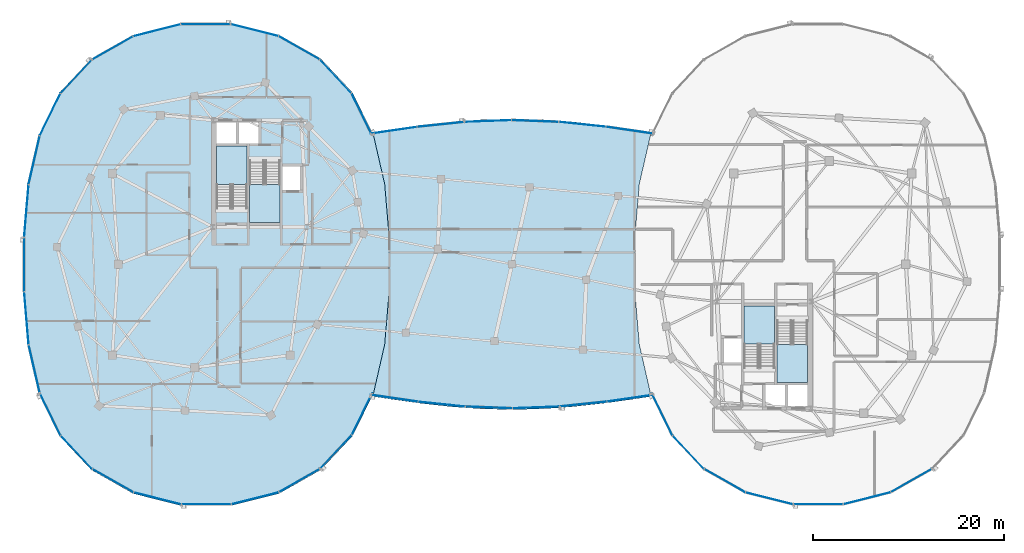
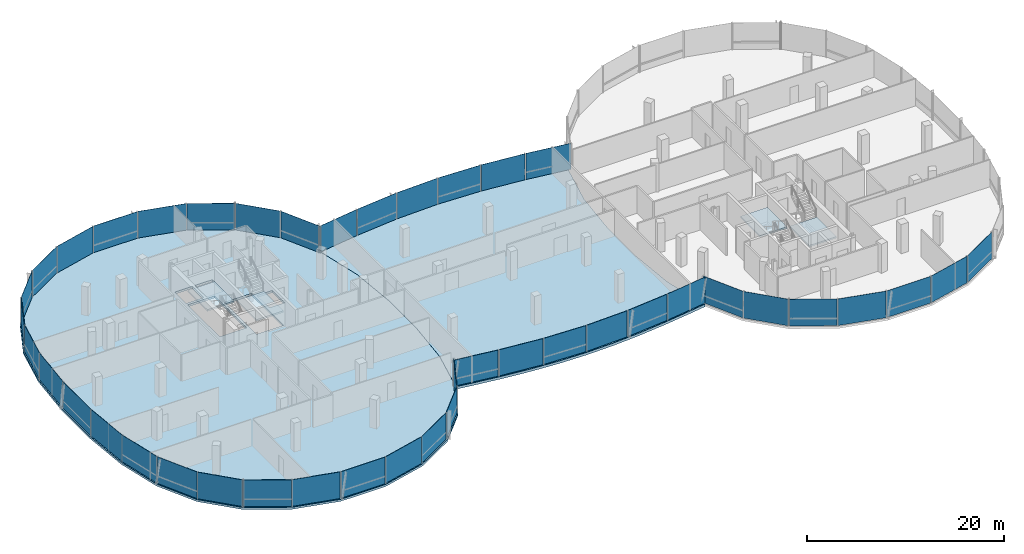
# One storey, part 12 of 25: 42 plates, 6 slabs, 11 elements without a shape of their own.
"""IFC4 building model written with IfcOpenShell, lengths in metres."""

from ifc_helpers import new_model, si_unit, direction, frame, origin, origin_2d, place, context, subcontext, project, spatial, polyline, rectangle, outline, extrude, material, layer, layer_set, type_object, element, aggregate, save


model = new_model("IFC4")

# Units and contexts
model_context = context("Model", 3, precision=1e-05, world=origin(), true_north=direction((0.0, 1.0)))
body_context = subcontext(model_context, "Body", "Model", "MODEL_VIEW")
ifc_project = project(units=[si_unit("LENGTHUNIT", "METRE"), si_unit("AREAUNIT", "SQUARE_METRE"), si_unit("VOLUMEUNIT", "CUBIC_METRE"), si_unit("PLANEANGLEUNIT", "RADIAN"), si_unit("MASSUNIT", "GRAM", prefix="KILO"), si_unit("THERMODYNAMICTEMPERATUREUNIT", "KELVIN"), si_unit("POWERUNIT", "WATT")], contexts=[model_context])

# Site, building, storey
site_placement = place(None, origin())
site = spatial("IfcSite", under=ifc_project, at=site_placement, CompositionType="ELEMENT")
building_placement = place(site_placement, origin())
building = spatial("IfcBuilding", under=site, at=building_placement, Name="Cundina Bronze Exchange", CompositionType="ELEMENT")
storey_placement = place(building_placement, frame((0.0, 0.0, 246.800048828125)))
storey = spatial("IfcBuildingStorey", under=building, at=storey_placement, Name="L65", CompositionType="ELEMENT", Elevation=246.800048828125)

# Curtain wall, plates
ifc_material_1 = material(Name="Anodised Bronze Aluminium 6063-T6", Category="aluminium")
curtain_wall_type = type_object("IfcCurtainWallType", Name="CWS-SKG-BRG", PredefinedType="NOTDEFINED", material=ifc_material_1)
curtain_wall_1_placement = place(storey_placement, origin())
curtain_wall_1 = element("IfcCurtainWall", 1, at=curtain_wall_1_placement, inside=storey, type_object=curtain_wall_type, Name="L65 CW-06 Curtain Wall Run CWR-L65-W1", PredefinedType="NOTDEFINED")
ifc_material_2 = material(Name="Heat-Strengthened Solar-Control Bronze Safety Glass 28mm", Category="glass")
ifc_layer_1 = layer(ifc_material_2, 0.028076171875, Name="Heat-Strengthened Solar-Control Bronze Safety Glass 28mm", Category="glass")
ifc_layer_set_1 = layer_set([ifc_layer_1], Name="Heat-Strengthened Solar-Control Bronze Safety Glass 28mm")
plate_type_1 = type_object("IfcPlateType", Name="PLT-GLZ-VIS28", PredefinedType="CURTAIN_PANEL", material=ifc_layer_set_1)
plate_1_placement = place(storey_placement, frame((-15.69873046875, 15.68017578125, 0.02001953125), z_axis=(0.0, 0.0, 1.0), x_axis=(-0.440503330345, 0.897750976582, 0.0)))
plate_1 = element("IfcPlate", 2, at=plate_1_placement, type_object=plate_type_1, Name="CW-06 Glazed Panel 1", PredefinedType="CURTAIN_PANEL", context=body_context, shape_type="SweptSolid", body=[
    extrude(rectangle(XDim=4.863525390625, YDim=0.028076171875, at=origin_2d()), origin(), (0.0, 0.0, 1.0), 3.300048828125),
])
plate_2_placement = place(storey_placement, frame((-18.431884765625, 19.64501953125, 0.02001953125), z_axis=(0.0, 0.0, 1.0), x_axis=(-0.684343512797, 0.72915976061, 0.0)))
plate_2 = element("IfcPlate", 3, at=plate_2_placement, type_object=plate_type_1, Name="CW-06 Glazed Panel 2", PredefinedType="CURTAIN_PANEL", context=body_context, shape_type="SweptSolid", body=[
    extrude(rectangle(XDim=4.773193359375, YDim=0.028076171875, at=origin_2d()), origin(), (0.0, 0.0, 1.0), 3.300048828125),
])
plate_3_placement = place(storey_placement, frame((-22.23828125, 22.6279296875, 0.02001953125), z_axis=(0.0, 0.0, 1.0), x_axis=(-0.869572506985, 0.493805280547, 0.0)))
plate_3 = element("IfcPlate", 4, at=plate_3_placement, type_object=plate_type_1, Name="CW-06 Glazed Panel 3", PredefinedType="CURTAIN_PANEL", context=body_context, shape_type="SweptSolid", body=[
    extrude(rectangle(XDim=4.907958984375, YDim=0.028076171875, at=origin_2d()), origin(), (0.0, 0.0, 1.0), 3.300048828125),
])
plate_4_placement = place(storey_placement, frame((-26.890625, 24.4814453125, 0.02001953125), z_axis=(0.0, 0.0, 1.0), x_axis=(-0.969731542251, 0.244173577528, 0.0)))
plate_4 = element("IfcPlate", 5, at=plate_4_placement, type_object=plate_type_1, Name="CW-06 Glazed Panel 4", PredefinedType="CURTAIN_PANEL", context=body_context, shape_type="SweptSolid", body=[
    extrude(rectangle(XDim=5.0908203125, YDim=0.028076171875, at=origin_2d()), origin(), (0.0, 0.0, 1.0), 3.300048828125),
])
plate_5_placement = place(storey_placement, frame((-37.109375, 24.4814453125, 0.02001953125), z_axis=(0.0, 0.0, 1.0), x_axis=(-0.969731542251, -0.244173577528, 0.0)))
plate_5 = element("IfcPlate", 6, at=plate_5_placement, type_object=plate_type_1, Name="CW-06 Glazed Panel 6", PredefinedType="CURTAIN_PANEL", context=body_context, shape_type="SweptSolid", body=[
    extrude(rectangle(XDim=5.0908203125, YDim=0.028076171875, at=origin_2d()), origin(), (0.0, 0.0, 1.0), 3.300048828125),
])
plate_6_placement = place(storey_placement, frame((-41.76171875, 22.6279296875, 0.02001953125), z_axis=(0.0, 0.0, 1.0), x_axis=(-0.869572506985, -0.493805280547, 0.0)))
plate_6 = element("IfcPlate", 7, at=plate_6_placement, type_object=plate_type_1, Name="CW-06 Glazed Panel 7", PredefinedType="CURTAIN_PANEL", context=body_context, shape_type="SweptSolid", body=[
    extrude(rectangle(XDim=4.907958984375, YDim=0.028076171875, at=origin_2d()), origin(), (0.0, 0.0, 1.0), 3.300048828125),
])

curtain_wall_2_placement = place(storey_placement, origin())
curtain_wall_2 = element("IfcCurtainWall", 8, at=curtain_wall_2_placement, inside=storey, type_object=curtain_wall_type, Name="L65 CW-06 Curtain Wall Run CWR-L65-W2", PredefinedType="NOTDEFINED")
plate_7_placement = place(storey_placement, frame((-45.568115234375, 19.64501953125, 0.02001953125), z_axis=(0.0, 0.0, 1.0), x_axis=(-0.684343512797, -0.72915976061, 0.0)))
plate_7 = element("IfcPlate", 9, at=plate_7_placement, type_object=plate_type_1, Name="CW-06 Glazed Panel 1", PredefinedType="CURTAIN_PANEL", context=body_context, shape_type="SweptSolid", body=[
    extrude(rectangle(XDim=4.773193359375, YDim=0.028076171875, at=origin_2d()), origin(), (0.0, 0.0, 1.0), 3.300048828125),
])
plate_8_placement = place(storey_placement, frame((-48.30126953125, 15.68017578125, 0.02001953125), z_axis=(0.0, 0.0, 1.0), x_axis=(-0.440503330345, -0.897750976582, 0.0)))
plate_8 = element("IfcPlate", 10, at=plate_8_placement, type_object=plate_type_1, Name="CW-06 Glazed Panel 2", PredefinedType="CURTAIN_PANEL", context=body_context, shape_type="SweptSolid", body=[
    extrude(rectangle(XDim=4.863525390625, YDim=0.028076171875, at=origin_2d()), origin(), (0.0, 0.0, 1.0), 3.300048828125),
])
plate_9_placement = place(storey_placement, frame((-49.96923828125, 10.922607421875, 0.02001953125), z_axis=(0.0, 0.0, 1.0), x_axis=(-0.223284141459, -0.974753400698, 0.0)))
plate_9 = element("IfcPlate", 11, at=plate_9_placement, type_object=plate_type_1, Name="CW-06 Glazed Panel 3", PredefinedType="CURTAIN_PANEL", context=body_context, shape_type="SweptSolid", body=[
    extrude(rectangle(XDim=5.167724609375, YDim=0.028076171875, at=origin_2d()), origin(), (0.0, 0.0, 1.0), 3.300048828125),
])
plate_10_placement = place(storey_placement, frame((-51.01904296875, 0.0, 0.02001953125), z_axis=(0.0, 0.0, 1.0), x_axis=(0.0, -1.0, 0.0)))
plate_10 = element("IfcPlate", 12, at=plate_10_placement, type_object=plate_type_1, Name="CW-06 Glazed Panel 5", PredefinedType="CURTAIN_PANEL", context=body_context, shape_type="SweptSolid", body=[
    extrude(rectangle(XDim=5.597900390625, YDim=0.028076171875, at=origin_2d()), origin(), (0.0, 0.0, 1.0), 3.300048828125),
])
plate_11_placement = place(storey_placement, frame((-50.78662109375, -5.605712890625, 0.02001953125), z_axis=(0.0, 0.0, 1.0), x_axis=(0.083747411454, -0.996487015006, 0.0)))
plate_11 = element("IfcPlate", 13, at=plate_11_placement, type_object=plate_type_1, Name="CW-06 Glazed Panel 6", PredefinedType="CURTAIN_PANEL", context=body_context, shape_type="SweptSolid", body=[
    extrude(rectangle(XDim=5.474609375, YDim=0.028076171875, at=origin_2d()), origin(), (0.0, 0.0, 1.0), 3.300048828125),
])
plate_12_placement = place(storey_placement, frame((-49.96923828125, -10.922607421875, 0.02001953125), z_axis=(0.0, 0.0, 1.0), x_axis=(0.223284141459, -0.974753400698, 0.0)))
plate_12 = element("IfcPlate", 14, at=plate_12_placement, type_object=plate_type_1, Name="CW-06 Glazed Panel 7", PredefinedType="CURTAIN_PANEL", context=body_context, shape_type="SweptSolid", body=[
    extrude(rectangle(XDim=5.167724609375, YDim=0.028076171875, at=origin_2d()), origin(), (0.0, 0.0, 1.0), 3.300048828125),
])

curtain_wall_3_placement = place(storey_placement, origin())
curtain_wall_3 = element("IfcCurtainWall", 15, at=curtain_wall_3_placement, inside=storey, type_object=curtain_wall_type, Name="L65 CW-06 Curtain Wall Run CWR-L65-W3", PredefinedType="NOTDEFINED")
plate_13_placement = place(storey_placement, frame((-48.30126953125, -15.68017578125, 0.02001953125), z_axis=(0.0, 0.0, 1.0), x_axis=(0.440503330345, -0.897750976582, 0.0)))
plate_13 = element("IfcPlate", 16, at=plate_13_placement, type_object=plate_type_1, Name="CW-06 Glazed Panel 1", PredefinedType="CURTAIN_PANEL", context=body_context, shape_type="SweptSolid", body=[
    extrude(rectangle(XDim=4.863525390625, YDim=0.028076171875, at=origin_2d()), origin(), (0.0, 0.0, 1.0), 3.300048828125),
])
plate_14_placement = place(storey_placement, frame((-45.568115234375, -19.64501953125, 0.02001953125), z_axis=(0.0, 0.0, 1.0), x_axis=(0.684343512797, -0.72915976061, 0.0)))
plate_14 = element("IfcPlate", 17, at=plate_14_placement, type_object=plate_type_1, Name="CW-06 Glazed Panel 2", PredefinedType="CURTAIN_PANEL", context=body_context, shape_type="SweptSolid", body=[
    extrude(rectangle(XDim=4.773193359375, YDim=0.028076171875, at=origin_2d()), origin(), (0.0, 0.0, 1.0), 3.300048828125),
])
plate_15_placement = place(storey_placement, frame((-37.109375, -24.4814453125, 0.02001953125), z_axis=(0.0, 0.0, 1.0), x_axis=(0.969731542251, -0.244173577528, 0.0)))
plate_15 = element("IfcPlate", 18, at=plate_15_placement, type_object=plate_type_1, Name="CW-06 Glazed Panel 4", PredefinedType="CURTAIN_PANEL", context=body_context, shape_type="SweptSolid", body=[
    extrude(rectangle(XDim=5.0908203125, YDim=0.028076171875, at=origin_2d()), origin(), (0.0, 0.0, 1.0), 3.300048828125),
])
plate_16_placement = place(storey_placement, frame((-32.0, -25.110107421875, 0.02001953125), z_axis=(0.0, 0.0, 1.0), x_axis=(1.0, 0.0, 0.0)))
plate_16 = element("IfcPlate", 19, at=plate_16_placement, type_object=plate_type_1, Name="CW-06 Glazed Panel 5", PredefinedType="CURTAIN_PANEL", context=body_context, shape_type="SweptSolid", body=[
    extrude(rectangle(XDim=5.16796875, YDim=0.028076171875, at=origin_2d()), origin(), (0.0, 0.0, 1.0), 3.300048828125),
])
plate_17_placement = place(storey_placement, frame((-26.890625, -24.4814453125, 0.02001953125), z_axis=(0.0, 0.0, 1.0), x_axis=(0.969731542251, 0.244173577528, 0.0)))
plate_17 = element("IfcPlate", 20, at=plate_17_placement, type_object=plate_type_1, Name="CW-06 Glazed Panel 6", PredefinedType="CURTAIN_PANEL", context=body_context, shape_type="SweptSolid", body=[
    extrude(rectangle(XDim=5.0908203125, YDim=0.028076171875, at=origin_2d()), origin(), (0.0, 0.0, 1.0), 3.300048828125),
])
plate_18_placement = place(storey_placement, frame((-22.23828125, -22.6279296875, 0.02001953125), z_axis=(0.0, 0.0, 1.0), x_axis=(0.869572506985, 0.493805280547, 0.0)))
plate_18 = element("IfcPlate", 21, at=plate_18_placement, type_object=plate_type_1, Name="CW-06 Glazed Panel 7", PredefinedType="CURTAIN_PANEL", context=body_context, shape_type="SweptSolid", body=[
    extrude(rectangle(XDim=4.907958984375, YDim=0.028076171875, at=origin_2d()), origin(), (0.0, 0.0, 1.0), 3.300048828125),
])

# Curtain wall, plate
curtain_wall_4_placement = place(storey_placement, origin())
curtain_wall_4 = element("IfcCurtainWall", 22, at=curtain_wall_4_placement, inside=storey, type_object=curtain_wall_type, Name="L65 CW-06 Curtain Wall Run CWR-L65-W4", PredefinedType="NOTDEFINED")
plate_19_placement = place(storey_placement, frame((-18.431884765625, -19.64501953125, 0.02001953125), z_axis=(0.0, 0.0, 1.0), x_axis=(0.684343512797, 0.72915976061, 0.0)))
plate_19 = element("IfcPlate", 23, at=plate_19_placement, type_object=plate_type_1, Name="CW-06 Glazed Panel 1", PredefinedType="CURTAIN_PANEL", context=body_context, shape_type="SweptSolid", body=[
    extrude(rectangle(XDim=4.773193359375, YDim=0.028076171875, at=origin_2d()), origin(), (0.0, 0.0, 1.0), 3.300048828125),
])

# Curtain wall, plates
curtain_wall_5_placement = place(storey_placement, origin())
curtain_wall_5 = element("IfcCurtainWall", 24, at=curtain_wall_5_placement, inside=storey, type_object=curtain_wall_type, Name="L65 CW-06 Curtain Wall Run CWR-L65-E3", PredefinedType="NOTDEFINED")
plate_20_placement = place(storey_placement, frame((15.69873046875, -15.68017578125, 0.02001953125), z_axis=(0.0, 0.0, 1.0), x_axis=(0.440503330345, -0.897750976582, 0.0)))
plate_20 = element("IfcPlate", 25, at=plate_20_placement, type_object=plate_type_1, Name="CW-06 Glazed Panel 1", PredefinedType="CURTAIN_PANEL", context=body_context, shape_type="SweptSolid", body=[
    extrude(rectangle(XDim=4.863525390625, YDim=0.028076171875, at=origin_2d()), origin(), (0.0, 0.0, 1.0), 3.300048828125),
])
plate_21_placement = place(storey_placement, frame((18.431884765625, -19.64501953125, 0.02001953125), z_axis=(0.0, 0.0, 1.0), x_axis=(0.684343512797, -0.72915976061, 0.0)))
plate_21 = element("IfcPlate", 26, at=plate_21_placement, type_object=plate_type_1, Name="CW-06 Glazed Panel 2", PredefinedType="CURTAIN_PANEL", context=body_context, shape_type="SweptSolid", body=[
    extrude(rectangle(XDim=4.773193359375, YDim=0.028076171875, at=origin_2d()), origin(), (0.0, 0.0, 1.0), 3.300048828125),
])
plate_22_placement = place(storey_placement, frame((26.890625, -24.4814453125, 0.02001953125), z_axis=(0.0, 0.0, 1.0), x_axis=(0.969731542251, -0.244173577528, 0.0)))
plate_22 = element("IfcPlate", 27, at=plate_22_placement, type_object=plate_type_1, Name="CW-06 Glazed Panel 4", PredefinedType="CURTAIN_PANEL", context=body_context, shape_type="SweptSolid", body=[
    extrude(rectangle(XDim=5.0908203125, YDim=0.028076171875, at=origin_2d()), origin(), (0.0, 0.0, 1.0), 3.300048828125),
])
plate_23_placement = place(storey_placement, frame((32.0, -25.110107421875, 0.02001953125), z_axis=(0.0, 0.0, 1.0), x_axis=(1.0, 0.0, 0.0)))
plate_23 = element("IfcPlate", 28, at=plate_23_placement, type_object=plate_type_1, Name="CW-06 Glazed Panel 5", PredefinedType="CURTAIN_PANEL", context=body_context, shape_type="SweptSolid", body=[
    extrude(rectangle(XDim=5.16796875, YDim=0.028076171875, at=origin_2d()), origin(), (0.0, 0.0, 1.0), 3.300048828125),
])
plate_24_placement = place(storey_placement, frame((37.109375, -24.4814453125, 0.02001953125), z_axis=(0.0, 0.0, 1.0), x_axis=(0.969731542251, 0.244173577528, 0.0)))
plate_24 = element("IfcPlate", 29, at=plate_24_placement, type_object=plate_type_1, Name="CW-06 Glazed Panel 6", PredefinedType="CURTAIN_PANEL", context=body_context, shape_type="SweptSolid", body=[
    extrude(rectangle(XDim=5.0908203125, YDim=0.028076171875, at=origin_2d()), origin(), (0.0, 0.0, 1.0), 3.300048828125),
])
plate_25_placement = place(storey_placement, frame((41.76171875, -22.6279296875, 0.02001953125), z_axis=(0.0, 0.0, 1.0), x_axis=(0.869572506985, 0.493805280547, 0.0)))
plate_25 = element("IfcPlate", 30, at=plate_25_placement, type_object=plate_type_1, Name="CW-06 Glazed Panel 7", PredefinedType="CURTAIN_PANEL", context=body_context, shape_type="SweptSolid", body=[
    extrude(rectangle(XDim=4.907958984375, YDim=0.028076171875, at=origin_2d()), origin(), (0.0, 0.0, 1.0), 3.300048828125),
])

curtain_wall_6_placement = place(storey_placement, origin())
curtain_wall_6 = element("IfcCurtainWall", 31, at=curtain_wall_6_placement, inside=storey, type_object=curtain_wall_type, Name="L65 CW-06 Curtain Wall Run CWR-L65-BRGS", PredefinedType="NOTDEFINED")
plate_26_placement = place(storey_placement, frame((-7.41162109375, -14.629150390625, 0.02001953125), z_axis=(0.0, 0.0, 1.0), x_axis=(0.994672274174, -0.103087666525, 0.0)))
plate_26 = element("IfcPlate", 32, at=plate_26_placement, type_object=plate_type_1, Name="CW-06 Glazed Panel 2", PredefinedType="CURTAIN_PANEL", context=body_context, shape_type="SweptSolid", body=[
    extrude(rectangle(XDim=4.886474609375, YDim=0.028076171875, at=origin_2d()), origin(), (0.0, 0.0, 1.0), 3.239990234375),
])
plate_27_placement = place(storey_placement, frame((-2.47021484375, -14.9775390625, 0.02001953125), z_axis=(0.0, 0.0, 1.0), x_axis=(0.999302568116, -0.037341362551, 0.0)))
plate_27 = element("IfcPlate", 33, at=plate_27_placement, type_object=plate_type_1, Name="CW-06 Glazed Panel 3", PredefinedType="CURTAIN_PANEL", context=body_context, shape_type="SweptSolid", body=[
    extrude(rectangle(XDim=4.863525390625, YDim=0.028076171875, at=origin_2d()), origin(), (0.0, 0.0, 1.0), 3.239990234375),
])
plate_28_placement = place(storey_placement, frame((2.47021484375, -14.9775390625, 0.02001953125), z_axis=(0.0, 0.0, 1.0), x_axis=(0.999302568116, 0.037341362551, 0.0)))
plate_28 = element("IfcPlate", 34, at=plate_28_placement, type_object=plate_type_1, Name="CW-06 Glazed Panel 4", PredefinedType="CURTAIN_PANEL", context=body_context, shape_type="SweptSolid", body=[
    extrude(rectangle(XDim=4.863525390625, YDim=0.028076171875, at=origin_2d()), origin(), (0.0, 0.0, 1.0), 3.239990234375),
])
plate_29_placement = place(storey_placement, frame((7.41162109375, -14.629150390625, 0.02001953125), z_axis=(0.0, 0.0, 1.0), x_axis=(0.994672274174, 0.103087666525, 0.0)))
plate_29 = element("IfcPlate", 35, at=plate_29_placement, type_object=plate_type_1, Name="CW-06 Glazed Panel 5", PredefinedType="CURTAIN_PANEL", context=body_context, shape_type="SweptSolid", body=[
    extrude(rectangle(XDim=4.886474609375, YDim=0.028076171875, at=origin_2d()), origin(), (0.0, 0.0, 1.0), 3.239990234375),
])

curtain_wall_7_placement = place(storey_placement, origin())
curtain_wall_7 = element("IfcCurtainWall", 36, at=curtain_wall_7_placement, inside=storey, type_object=curtain_wall_type, Name="L65 CW-06 Curtain Wall Run CWR-L65-BRGN", PredefinedType="NOTDEFINED")
plate_30_placement = place(storey_placement, frame((12.356201171875, 14.012451171875, 0.02001953125), z_axis=(0.0, 0.0, 1.0), x_axis=(-0.989528308409, 0.144338930496, 0.0)))
plate_30 = element("IfcPlate", 37, at=plate_30_placement, type_object=plate_type_1, Name="CW-06 Glazed Panel 1", PredefinedType="CURTAIN_PANEL", context=body_context, shape_type="SweptSolid", body=[
    extrude(rectangle(XDim=4.912353515625, YDim=0.028076171875, at=origin_2d()), origin(), (0.0, 0.0, 1.0), 3.239990234375),
])
plate_31_placement = place(storey_placement, frame((7.41162109375, 14.629150390625, 0.02001953125), z_axis=(0.0, 0.0, 1.0), x_axis=(-0.994672274174, 0.103087666525, 0.0)))
plate_31 = element("IfcPlate", 38, at=plate_31_placement, type_object=plate_type_1, Name="CW-06 Glazed Panel 2", PredefinedType="CURTAIN_PANEL", context=body_context, shape_type="SweptSolid", body=[
    extrude(rectangle(XDim=4.886474609375, YDim=0.028076171875, at=origin_2d()), origin(), (0.0, 0.0, 1.0), 3.239990234375),
])
plate_32_placement = place(storey_placement, frame((-2.47021484375, 14.9775390625, 0.02001953125), z_axis=(0.0, 0.0, 1.0), x_axis=(-0.999302568116, -0.037341362551, 0.0)))
plate_32 = element("IfcPlate", 39, at=plate_32_placement, type_object=plate_type_1, Name="CW-06 Glazed Panel 4", PredefinedType="CURTAIN_PANEL", context=body_context, shape_type="SweptSolid", body=[
    extrude(rectangle(XDim=4.863525390625, YDim=0.028076171875, at=origin_2d()), origin(), (0.0, 0.0, 1.0), 3.239990234375),
])
plate_33_placement = place(storey_placement, frame((-7.41162109375, 14.629150390625, 0.02001953125), z_axis=(0.0, 0.0, 1.0), x_axis=(-0.994672274174, -0.103087666525, 0.0)))
plate_33 = element("IfcPlate", 40, at=plate_33_placement, type_object=plate_type_1, Name="CW-06 Glazed Panel 5", PredefinedType="CURTAIN_PANEL", context=body_context, shape_type="SweptSolid", body=[
    extrude(rectangle(XDim=4.886474609375, YDim=0.028076171875, at=origin_2d()), origin(), (0.0, 0.0, 1.0), 3.239990234375),
])
plate_34_placement = place(storey_placement, frame((-12.356201171875, 14.012451171875, 0.02001953125), z_axis=(0.0, 0.0, 1.0), x_axis=(-0.989528308409, -0.144338930496, 0.0)))
plate_34 = element("IfcPlate", 41, at=plate_34_placement, type_object=plate_type_1, Name="CW-06 Glazed Panel 6", PredefinedType="CURTAIN_PANEL", context=body_context, shape_type="SweptSolid", body=[
    extrude(rectangle(XDim=4.912353515625, YDim=0.028076171875, at=origin_2d()), origin(), (0.0, 0.0, 1.0), 3.239990234375),
])

# Plate
ifc_material_3 = material(Name="Dark Bronze Spandrel Glass Panel 32mm", Category="glass")
ifc_layer_2 = layer(ifc_material_3, 0.031982421875, Name="Dark Bronze Spandrel Glass Panel 32mm", Category="glass")
ifc_layer_set_2 = layer_set([ifc_layer_2], Name="Dark Bronze Spandrel Glass Panel 32mm")
plate_type_2 = type_object("IfcPlateType", Name="PLT-SPN-BRZ32", PredefinedType="CURTAIN_PANEL", material=ifc_layer_set_2)
plate_35_placement = place(storey_placement, frame((-32.0, 25.110107421875, 0.02001953125), z_axis=(0.0, 0.0, 1.0), x_axis=(-1.0, 0.0, 0.0)))
plate_35 = element("IfcPlate", 42, at=plate_35_placement, type_object=plate_type_2, Name="CW-06 Glazed Panel 5", PredefinedType="CURTAIN_PANEL", context=body_context, shape_type="SweptSolid", body=[
    extrude(rectangle(XDim=5.16796875, YDim=0.031982421875, at=origin_2d()), origin(), (0.0, 0.0, 1.0), 3.300048828125),
])

aggregate(curtain_wall_1, [plate_1, plate_2, plate_3, plate_4, plate_35, plate_5, plate_6])

plate_36_placement = place(storey_placement, frame((-50.78662109375, 5.605712890625, 0.02001953125), z_axis=(0.0, 0.0, 1.0), x_axis=(-0.083747411454, -0.996487015006, 0.0)))
plate_36 = element("IfcPlate", 43, at=plate_36_placement, type_object=plate_type_2, Name="CW-06 Glazed Panel 4", PredefinedType="CURTAIN_PANEL", context=body_context, shape_type="SweptSolid", body=[
    extrude(rectangle(XDim=5.474609375, YDim=0.031982421875, at=origin_2d()), origin(), (0.0, 0.0, 1.0), 3.300048828125),
])

aggregate(curtain_wall_2, [plate_7, plate_8, plate_9, plate_36, plate_10, plate_11, plate_12])

plate_37_placement = place(storey_placement, frame((-41.76171875, -22.6279296875, 0.02001953125), z_axis=(0.0, 0.0, 1.0), x_axis=(0.869572506985, -0.493805280547, 0.0)))
plate_37 = element("IfcPlate", 44, at=plate_37_placement, type_object=plate_type_2, Name="CW-06 Glazed Panel 3", PredefinedType="CURTAIN_PANEL", context=body_context, shape_type="SweptSolid", body=[
    extrude(rectangle(XDim=4.907958984375, YDim=0.031982421875, at=origin_2d()), origin(), (0.0, 0.0, 1.0), 3.300048828125),
])

aggregate(curtain_wall_3, [plate_13, plate_14, plate_37, plate_15, plate_16, plate_17, plate_18])

plate_38_placement = place(storey_placement, frame((-15.69873046875, -15.68017578125, 0.02001953125), z_axis=(0.0, 0.0, 1.0), x_axis=(0.440503330345, 0.897750976582, 0.0)))
plate_38 = element("IfcPlate", 45, at=plate_38_placement, type_object=plate_type_2, Name="CW-06 Glazed Panel 2", PredefinedType="CURTAIN_PANEL", context=body_context, shape_type="SweptSolid", body=[
    extrude(rectangle(XDim=4.863525390625, YDim=0.031982421875, at=origin_2d()), origin(), (0.0, 0.0, 1.0), 3.300048828125),
])

aggregate(curtain_wall_4, [plate_19, plate_38])

plate_39_placement = place(storey_placement, frame((22.23828125, -22.6279296875, 0.02001953125), z_axis=(0.0, 0.0, 1.0), x_axis=(0.869572506985, -0.493805280547, 0.0)))
plate_39 = element("IfcPlate", 46, at=plate_39_placement, type_object=plate_type_2, Name="CW-06 Glazed Panel 3", PredefinedType="CURTAIN_PANEL", context=body_context, shape_type="SweptSolid", body=[
    extrude(rectangle(XDim=4.907958984375, YDim=0.031982421875, at=origin_2d()), origin(), (0.0, 0.0, 1.0), 3.300048828125),
])

aggregate(curtain_wall_5, [plate_20, plate_21, plate_39, plate_22, plate_23, plate_24, plate_25])

plate_40_placement = place(storey_placement, frame((-12.356201171875, -14.012451171875, 0.02001953125), z_axis=(0.0, 0.0, 1.0), x_axis=(0.989528308409, -0.144338930496, 0.0)))
plate_40 = element("IfcPlate", 47, at=plate_40_placement, type_object=plate_type_2, Name="CW-06 Glazed Panel 1", PredefinedType="CURTAIN_PANEL", context=body_context, shape_type="SweptSolid", body=[
    extrude(rectangle(XDim=4.912353515625, YDim=0.031982421875, at=origin_2d()), origin(), (0.0, 0.0, 1.0), 3.239990234375),
])

plate_41_placement = place(storey_placement, frame((12.356201171875, -14.012451171875, 0.02001953125), z_axis=(0.0, 0.0, 1.0), x_axis=(0.989528308409, 0.144338930496, 0.0)))
plate_41 = element("IfcPlate", 48, at=plate_41_placement, type_object=plate_type_2, Name="CW-06 Glazed Panel 6", PredefinedType="CURTAIN_PANEL", context=body_context, shape_type="SweptSolid", body=[
    extrude(rectangle(XDim=4.912353515625, YDim=0.031982421875, at=origin_2d()), origin(), (0.0, 0.0, 1.0), 3.239990234375),
])

aggregate(curtain_wall_6, [plate_40, plate_26, plate_27, plate_28, plate_29, plate_41])

plate_42_placement = place(storey_placement, frame((2.47021484375, 14.9775390625, 0.02001953125), z_axis=(0.0, 0.0, 1.0), x_axis=(-0.999302568116, 0.037341362551, 0.0)))
plate_42 = element("IfcPlate", 49, at=plate_42_placement, type_object=plate_type_2, Name="CW-06 Glazed Panel 3", PredefinedType="CURTAIN_PANEL", context=body_context, shape_type="SweptSolid", body=[
    extrude(rectangle(XDim=4.863525390625, YDim=0.031982421875, at=origin_2d()), origin(), (0.0, 0.0, 1.0), 3.239990234375),
])

aggregate(curtain_wall_7, [plate_30, plate_31, plate_42, plate_32, plate_33, plate_34])

# Slab
ifc_material_4 = material(Name="Concrete C50/60", Category="concrete")
ifc_layer_3 = layer(ifc_material_4, 0.320068359375, Name="Concrete C50/60", Category="concrete")
ifc_layer_set_3 = layer_set([ifc_layer_3], Name="Concrete C50/60")
slab_type_1 = type_object("IfcSlabType", Name="SLB-BRG-320", PredefinedType="FLOOR", material=ifc_layer_set_3)
slab_1_placement = place(storey_placement, frame((0.0, 0.0, -0.320068359375)))
element("IfcSlab", 50, at=slab_1_placement, inside=storey, type_object=slab_type_1, Name="L65 Sky-Gate Bridge Deck Slab", PredefinedType="FLOOR", context=body_context, shape_type="SweptSolid", body=[
    extrude(outline(polyline([(12.800048828125, -14.093994140625), (9.60009765625, -14.5400390625), (6.39990234375, -14.89404296875), (3.199951171875, -15.1220703125), (0.0, -15.199951171875), (-3.199951171875, -15.1220703125), (-6.39990234375, -14.89404296875), (-9.60009765625, -14.5400390625), (-12.800048828125, -14.093994140625), (-14.634033203125, -13.81103515625), (-14.489013671875, -13.514892578125), (-14.489013671875, -13.514892578125), (-14.489013671875, -13.513916015625), (-13.31494140625, -8.388916015625), (-13.31494140625, -8.388916015625), (-12.84912109375, -2.843994140625), (-12.84912109375, -2.843994140625), (-12.84912109375, 2.843994140625), (-12.84912109375, 2.843994140625), (-13.31494140625, 8.388916015625), (-13.31494140625, 8.388916015625), (-14.489013671875, 13.513916015625), (-14.489013671875, 13.514892578125), (-14.489013671875, 13.514892578125), (-14.634033203125, 13.81103515625), (-12.800048828125, 14.093994140625), (-9.60009765625, 14.5400390625), (-6.39990234375, 14.89404296875), (-3.199951171875, 15.1220703125), (0.0, 15.199951171875), (3.199951171875, 15.1220703125), (6.39990234375, 14.89404296875), (9.60009765625, 14.5400390625), (12.800048828125, 14.093994140625), (14.634033203125, 13.81103515625), (14.489013671875, 13.514892578125), (14.489013671875, 13.514892578125), (14.489013671875, 13.513916015625), (13.31494140625, 8.388916015625), (13.31494140625, 8.388916015625), (12.84912109375, 2.843994140625), (12.84912109375, 2.843994140625), (12.84912109375, -2.843994140625), (12.84912109375, -2.843994140625), (13.31494140625, -8.388916015625), (13.31494140625, -8.388916015625), (14.489013671875, -13.513916015625), (14.489013671875, -13.514892578125), (14.489013671875, -13.514892578125), (14.634033203125, -13.81103515625), (12.800048828125, -14.093994140625)])), origin(), (0.0, 0.0, 1.0), 0.320068359375),
])

# Stair, slab
ifc_material_5 = material(Name="Concrete C40/50", Category="concrete")
stair_type = type_object("IfcStairType", Name="STR-OFF-360", PredefinedType="HALF_TURN_STAIR", material=ifc_material_5)
stair_1_placement = place(storey_placement, origin())
stair_1 = element("IfcStair", 51, at=stair_1_placement, inside=storey, type_object=stair_type, Name="L65 Smokeproof Exit Stair W1", PredefinedType="HALF_TURN_STAIR")
ifc_layer_4 = layer(ifc_material_5, 0.199951171875, Name="Concrete C40/50", Category="concrete")
ifc_layer_set_4 = layer_set([ifc_layer_4], Name="Concrete C40/50")
slab_type_2 = type_object("IfcSlabType", Name="SLB-LND-200", PredefinedType="LANDING", material=ifc_layer_set_4)
slab_2_placement = place(storey_placement, frame((0.0, 0.0, 1.599853515625)))
slab_2 = element("IfcSlab", 52, at=slab_2_placement, type_object=slab_type_2, Name="ST-W1 landing 1", PredefinedType="LANDING", context=body_context, shape_type="SweptSolid", body=[
    extrude(outline(polyline([(-27.739990234375, 8.3701171875), (-27.739990234375, 12.35009765625), (-30.89990234375, 12.35009765625), (-30.89990234375, 8.3701171875), (-27.739990234375, 8.3701171875)])), origin(), (0.0, 0.0, 1.0), 0.2001953125),
])
aggregate(stair_1, [slab_2])

stair_2_placement = place(storey_placement, origin())
stair_2 = element("IfcStair", 53, at=stair_2_placement, inside=storey, type_object=stair_type, Name="L65 Smokeproof Exit Stair W2", PredefinedType="HALF_TURN_STAIR")
slab_3_placement = place(storey_placement, frame((0.0, 0.0, 1.599853515625)))
slab_3 = element("IfcSlab", 54, at=slab_3_placement, type_object=slab_type_2, Name="ST-W2 landing 1", PredefinedType="LANDING", context=body_context, shape_type="SweptSolid", body=[
    extrude(outline(polyline([(-27.43994140625, 8.330078125), (-27.43994140625, 4.35009765625), (-24.280029296875, 4.35009765625), (-24.280029296875, 8.330078125), (-27.43994140625, 8.330078125)])), origin(), (0.0, 0.0, 1.0), 0.2001953125),
])
aggregate(stair_2, [slab_3])

stair_3_placement = place(storey_placement, origin())
stair_3 = element("IfcStair", 55, at=stair_3_placement, inside=storey, type_object=stair_type, Name="L65 Smokeproof Exit Stair E1", PredefinedType="HALF_TURN_STAIR")
slab_4_placement = place(storey_placement, frame((0.0, 0.0, 1.599853515625)))
slab_4 = element("IfcSlab", 56, at=slab_4_placement, type_object=slab_type_2, Name="ST-E1 landing 1", PredefinedType="LANDING", context=body_context, shape_type="SweptSolid", body=[
    extrude(outline(polyline([(27.739990234375, -8.3701171875), (27.739990234375, -12.35009765625), (30.89990234375, -12.35009765625), (30.89990234375, -8.3701171875), (27.739990234375, -8.3701171875)])), origin(), (0.0, 0.0, 1.0), 0.2001953125),
])
aggregate(stair_3, [slab_4])

stair_4_placement = place(storey_placement, origin())
stair_4 = element("IfcStair", 57, at=stair_4_placement, inside=storey, type_object=stair_type, Name="L65 Smokeproof Exit Stair E2", PredefinedType="HALF_TURN_STAIR")
slab_5_placement = place(storey_placement, frame((0.0, 0.0, 1.599853515625)))
slab_5 = element("IfcSlab", 58, at=slab_5_placement, type_object=slab_type_2, Name="ST-E2 landing 1", PredefinedType="LANDING", context=body_context, shape_type="SweptSolid", body=[
    extrude(outline(polyline([(27.43994140625, -8.330078125), (27.43994140625, -4.35009765625), (24.280029296875, -4.35009765625), (24.280029296875, -8.330078125), (27.43994140625, -8.330078125)])), origin(), (0.0, 0.0, 1.0), 0.2001953125),
])
aggregate(stair_4, [slab_5])

# Slab
ifc_layer_5 = layer(ifc_material_4, 0.260009765625, Name="Concrete C50/60", Category="concrete")
ifc_layer_set_5 = layer_set([ifc_layer_5], Name="Concrete C50/60")
slab_type_3 = type_object("IfcSlabType", Name="SLB-OFF-260", PredefinedType="FLOOR", material=ifc_layer_set_5)
slab_6_placement = place(storey_placement, frame((0.0, 0.0, -0.260009765625)))
element("IfcSlab", 59, at=slab_6_placement, inside=storey, type_object=slab_type_3, Name="L65 Leg W Structural Floor Slab", PredefinedType="FLOOR", context=body_context, shape_type="SweptSolid", body=[
    extrude(outline(polyline([(-12.85107421875, 2.843994140625), (-13.31689453125, 8.388916015625), (-14.490966796875, 13.513916015625), (-16.673095703125, 17.9609375), (-20.0009765625, 21.507080078125), (-24.346923828125, 23.97509765625), (-29.37109375, 25.239990234375), (-34.62890625, 25.239990234375), (-39.653076171875, 23.97509765625), (-43.9990234375, 21.507080078125), (-47.326904296875, 17.9609375), (-49.509033203125, 13.513916015625), (-50.68310546875, 8.388916015625), (-51.14892578125, 2.843994140625), (-51.14892578125, -2.843994140625), (-50.68310546875, -8.388916015625), (-49.509033203125, -13.513916015625), (-47.326904296875, -17.9609375), (-43.9990234375, -21.507080078125), (-39.653076171875, -23.97509765625), (-34.62890625, -25.239990234375), (-29.37109375, -25.239990234375), (-24.346923828125, -23.97509765625), (-20.0009765625, -21.507080078125), (-16.673095703125, -17.9609375), (-14.490966796875, -13.513916015625), (-13.31689453125, -8.388916015625), (-12.85107421875, -2.843994140625), (-12.85107421875, 2.843994140625)]), holes=[polyline([(-27.739990234375, 5.85009765625), (-27.739990234375, 12.35009765625), (-30.89990234375, 12.35009765625), (-30.89990234375, 5.85009765625), (-27.739990234375, 5.85009765625)]), polyline([(-27.43994140625, 10.85009765625), (-27.43994140625, 4.35009765625), (-24.280029296875, 4.35009765625), (-24.280029296875, 10.85009765625), (-27.43994140625, 10.85009765625)]), polyline([(-23.97998046875, 10.25), (-22.179931640625, 10.25), (-22.179931640625, 7.75), (-23.97998046875, 7.75), (-23.97998046875, 10.25)]), polyline([(-30.89990234375, 14.949951171875), (-28.85009765625, 14.949951171875), (-28.85009765625, 12.64990234375), (-30.89990234375, 12.64990234375), (-30.89990234375, 14.949951171875)]), polyline([(-28.550048828125, 14.949951171875), (-26.5, 14.949951171875), (-26.5, 12.64990234375), (-28.550048828125, 12.64990234375), (-28.550048828125, 14.949951171875)])]), origin(), (0.0, 0.0, 1.0), 0.260009765625),
])

save(model, "model.ifc")
